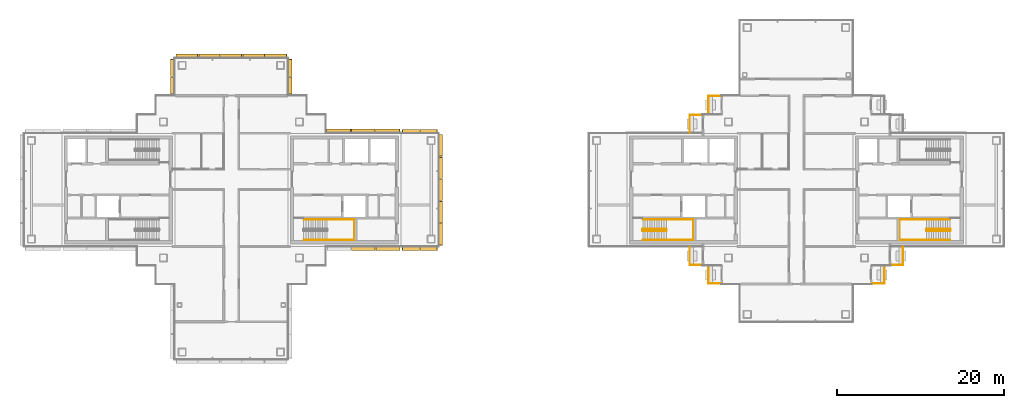
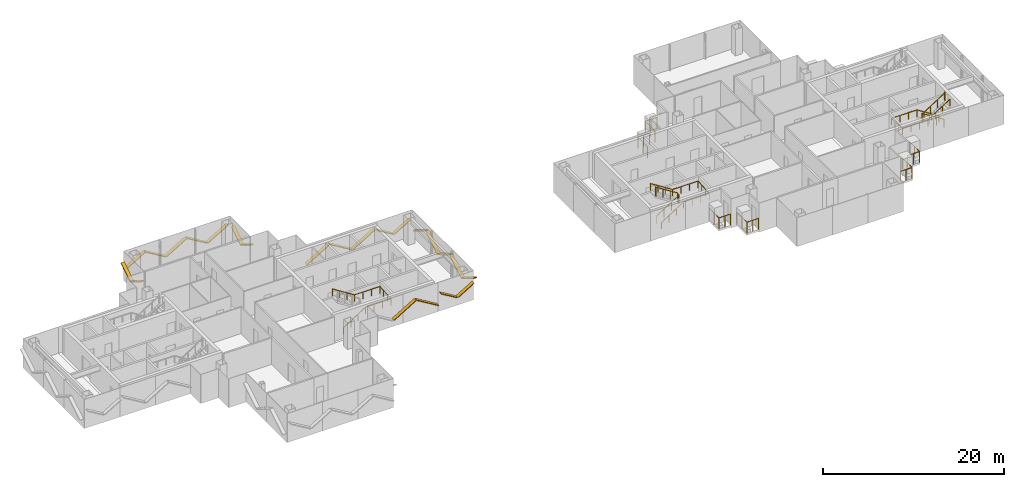
# One storey, part 15 of 17: 23 shading devices, 11 railings.
"""IFC4 building model written with IfcOpenShell, lengths in metres."""

from ifc_helpers import new_model, si_unit, direction, frame, origin, origin_2d, place, context, subcontext, project, spatial, rectangle, circle, extrude, material, material_profile, profile_set, type_object, element, save


model = new_model("IFC4")

# Units and contexts
model_context = context("Model", 3, precision=1e-05, world=origin(), true_north=direction((0.0, 1.0)))
body_context = subcontext(model_context, "Body", "Model", "MODEL_VIEW")
ifc_project = project(units=[si_unit("LENGTHUNIT", "METRE"), si_unit("AREAUNIT", "SQUARE_METRE"), si_unit("VOLUMEUNIT", "CUBIC_METRE"), si_unit("PLANEANGLEUNIT", "RADIAN"), si_unit("MASSUNIT", "GRAM", prefix="KILO")], contexts=[model_context])

# Site, building, storey
site_placement = place(None, origin())
site = spatial("IfcSite", under=ifc_project, at=site_placement, CompositionType="ELEMENT")
building_placement = place(site_placement, origin())
building = spatial("IfcBuilding", under=site, at=building_placement, Name="Shamsa Quay Exchange Towers", CompositionType="ELEMENT")
storey_placement = place(building_placement, frame((0.0, 0.0, 234.300048828125)))
storey = spatial("IfcBuildingStorey", under=building, at=storey_placement, Name="L56", CompositionType="ELEMENT", Elevation=234.300048828125)

# Railings
ifc_material_1 = material(Name="Steel S355, black powder-coated", Category="steel")
railing_type_1 = type_object("IfcRailingType", Name="BALCONY GUARD 1500", PredefinedType="GUARDRAIL", material=ifc_material_1)
for number, where, name in (
    (1, (24.72900390625, 11.199951171875, 0.0), "Balcony guard T2-PKEN L56"),
    (2, (22.47900390625, 8.949951171875, 0.0), "Balcony guard T2-PKEN L56"),
):
    element("IfcRailing", number, at=place(storey_placement, frame(where)), inside=storey, type_object=railing_type_1, Name=name, PredefinedType="GUARDRAIL", context=body_context, shape_type="SweptSolid", body=[
        extrude(circle(Radius=0.02392578125, at=origin_2d()), frame((0.0, 0.0, 1.47607421875), z_axis=(-1.0, 0.0, 0.0), x_axis=(0.0, -1.0, 0.0)), (0.0, 0.0, 1.0), 1.47900390625),
        extrude(circle(Radius=0.02392578125, at=origin_2d()), frame((-1.47900390625, 0.0, 1.47607421875), z_axis=(0.0, -1.0, 0.0), x_axis=(1.0, 0.0, 0.0)), (0.0, 0.0, 1.0), 2.161865234375),
        extrude(circle(Radius=0.02099609375, at=origin_2d()), origin(), (0.0, 0.0, 1.0), 1.451904296875),
        extrude(circle(Radius=0.02099609375, at=origin_2d()), frame((-0.739501953125, 0.0, 0.0)), (0.0, 0.0, 1.0), 1.451904296875),
        extrude(circle(Radius=0.02099609375, at=origin_2d()), frame((-1.47900390625, 0.0, 0.0)), (0.0, 0.0, 1.0), 1.451904296875),
        extrude(circle(Radius=0.02099609375, at=origin_2d()), frame((-1.47900390625, -1.0810546875, 0.0)), (0.0, 0.0, 1.0), 1.451904296875),
        extrude(circle(Radius=0.02099609375, at=origin_2d()), frame((-1.47900390625, -2.161865234375, 0.0)), (0.0, 0.0, 1.0), 1.451904296875),
    ])
for number, where, name in (
    (3, (21.0, -6.7880859375, 0.0), "Balcony guard T2-PKWN L56"),
    (4, (23.25, -9.0380859375, 0.0), "Balcony guard T2-PKWN L56"),
):
    element("IfcRailing", number, at=place(storey_placement, frame(where)), inside=storey, type_object=railing_type_1, Name=name, PredefinedType="GUARDRAIL", context=body_context, shape_type="SweptSolid", body=[
        extrude(circle(Radius=0.02392578125, at=origin_2d()), frame((0.0, 0.0, 1.47607421875), z_axis=(0.0, -1.0, 0.0), x_axis=(1.0, 0.0, 0.0)), (0.0, 0.0, 1.0), 2.161865234375),
        extrude(circle(Radius=0.02392578125, at=origin_2d()), frame((0.0, -2.161865234375, 1.47607421875), z_axis=(1.0, 0.0, 0.0), x_axis=(0.0, 1.0, 0.0)), (0.0, 0.0, 1.0), 1.47900390625),
        extrude(circle(Radius=0.02099609375, at=origin_2d()), origin(), (0.0, 0.0, 1.0), 1.451904296875),
        extrude(circle(Radius=0.02099609375, at=origin_2d()), frame((0.0, -1.0810546875, 0.0)), (0.0, 0.0, 1.0), 1.451904296875),
        extrude(circle(Radius=0.02099609375, at=origin_2d()), frame((0.0, -2.161865234375, 0.0)), (0.0, 0.0, 1.0), 1.451904296875),
        extrude(circle(Radius=0.02099609375, at=origin_2d()), frame((0.739501953125, -2.161865234375, 0.0)), (0.0, 0.0, 1.0), 1.451904296875),
        extrude(circle(Radius=0.02099609375, at=origin_2d()), frame((1.47900390625, -2.161865234375, 0.0)), (0.0, 0.0, 1.0), 1.451904296875),
    ])
for number, where, name in (
    (5, (42.77099609375, -11.199951171875, 0.0), "Balcony guard T2-PKWS L56"),
    (6, (45.02099609375, -8.949951171875, 0.0), "Balcony guard T2-PKWS L56"),
):
    element("IfcRailing", number, at=place(storey_placement, frame(where)), inside=storey, type_object=railing_type_1, Name=name, PredefinedType="GUARDRAIL", context=body_context, shape_type="SweptSolid", body=[
        extrude(circle(Radius=0.02392578125, at=origin_2d()), frame((0.0, 0.0, 1.47607421875), z_axis=(1.0, 0.0, 0.0), x_axis=(0.0, 1.0, 0.0)), (0.0, 0.0, 1.0), 1.47900390625),
        extrude(circle(Radius=0.02392578125, at=origin_2d()), frame((1.47900390625, 0.0, 1.47607421875), z_axis=(0.0, 1.0, 0.0), x_axis=(-1.0, 0.0, 0.0)), (0.0, 0.0, 1.0), 2.161865234375),
        extrude(circle(Radius=0.02099609375, at=origin_2d()), origin(), (0.0, 0.0, 1.0), 1.451904296875),
        extrude(circle(Radius=0.02099609375, at=origin_2d()), frame((0.739501953125, 0.0, 0.0)), (0.0, 0.0, 1.0), 1.451904296875),
        extrude(circle(Radius=0.02099609375, at=origin_2d()), frame((1.47900390625, 0.0, 0.0)), (0.0, 0.0, 1.0), 1.451904296875),
        extrude(circle(Radius=0.02099609375, at=origin_2d()), frame((1.47900390625, 1.0810546875, 0.0)), (0.0, 0.0, 1.0), 1.451904296875),
        extrude(circle(Radius=0.02099609375, at=origin_2d()), frame((1.47900390625, 2.161865234375, 0.0)), (0.0, 0.0, 1.0), 1.451904296875),
    ])

# Shading devices
ifc_material_2 = material(Name="Aluminium EN AW-6063 T6, black anodised", Category="aluminium")
ifc_material_profile = material_profile(ifc_material_2, rectangle(XDim=0.449951171875, YDim=0.10009765625, at=origin_2d()), Name="FIN450x100")
ifc_profile_set = profile_set([ifc_material_profile], Name="Aluminium EN AW-6063 T6, black anodised")
shading_device_type = type_object("IfcShadingDeviceType", Name="FIN 450x100 BLACK ALUMINIUM", PredefinedType="USERDEFINED", material=ifc_profile_set)
shading_device_1_placement = place(storey_placement, frame((-19.374755859375, -7.01904296875, 0.762451171875), z_axis=(0.857168152113, 0.0, 0.515036657922), x_axis=(0.0, 1.0, 0.0)))
element("IfcShadingDevice", 7, at=shading_device_1_placement, inside=storey, type_object=shading_device_type, Name="FIN T1 chevron rib", ObjectType="FIN", PredefinedType="USERDEFINED", context=body_context, shape_type="SweptSolid", body=[
    extrude(rectangle(XDim=0.449951171875, YDim=0.10009765625, at=origin_2d()), origin(), (0.0, 0.0, 1.0), 3.251708984375),
])
shading_device_2_placement = place(storey_placement, frame((-16.4873046875, -7.01904296875, 2.452392578125), z_axis=(0.857173881605, 0.0, -0.51502712229), x_axis=(0.0, 1.0, 0.0)))
element("IfcShadingDevice", 8, at=shading_device_2_placement, inside=storey, type_object=shading_device_type, Name="FIN T1 chevron rib", ObjectType="FIN", PredefinedType="USERDEFINED", context=body_context, shape_type="SweptSolid", body=[
    extrude(rectangle(XDim=0.449951171875, YDim=0.10009765625, at=origin_2d()), origin(), (0.0, 0.0, 1.0), 3.310302734375),
])
for number, where, z_axis, x_axis, name in (
    (9, (-13.35009765625, -7.014892578125, 2.2158203125), (0.857186526385, 0.0, -0.515006076648), (0.0, 1.0, 0.0), "FIN T1 chevron rib"),
    (10, (-11.199951171875, -7.014892578125, 0.984130859375), (0.857186526385, 0.0, 0.515006076648), (0.0, 1.0, 0.0), "FIN T1 chevron rib"),
):
    element("IfcShadingDevice", number, at=place(storey_placement, frame(where, z_axis=z_axis, x_axis=x_axis)), inside=storey, type_object=shading_device_type, Name=name, ObjectType="FIN", PredefinedType="USERDEFINED", context=body_context, shape_type="SweptSolid", body=[
        extrude(rectangle(XDim=0.449951171875, YDim=0.10009765625, at=origin_2d()), origin(), (0.0, 0.0, 1.0), 2.3916015625),
    ])
shading_device_3_placement = place(storey_placement, frame((-8.735107421875, -6.60009765625, 2.378173828125), z_axis=(0.0, 0.857150546907, -0.51506595688), x_axis=(-1.0, 0.0, 0.0)))
element("IfcShadingDevice", 11, at=shading_device_3_placement, inside=storey, type_object=shading_device_type, Name="FIN T1 chevron rib", ObjectType="FIN", PredefinedType="USERDEFINED", context=body_context, shape_type="SweptSolid", body=[
    extrude(rectangle(XDim=0.449951171875, YDim=0.10009765625, at=origin_2d()), origin(), (0.0, 0.0, 1.0), 3.021728515625),
])
for number, where, z_axis, x_axis, name in (
    (12, (-8.735107421875, -3.909912109375, 0.8369140625), (0.0, 0.857158316574, 0.515053026714), (-1.0, 0.0, 0.0), "FIN T1 chevron rib"),
    (13, (-8.735107421875, -1.27001953125, 2.363037109375), (0.0, 0.857180172053, -0.515016652778), (-1.0, 0.0, 0.0), "FIN T1 chevron rib"),
    (14, (-8.735107421875, 1.3701171875, 0.8369140625), (0.0, 0.857158316574, 0.515053026714), (-1.0, 0.0, 0.0), "FIN T1 chevron rib"),
):
    element("IfcShadingDevice", number, at=place(storey_placement, frame(where, z_axis=z_axis, x_axis=x_axis)), inside=storey, type_object=shading_device_type, Name=name, ObjectType="FIN", PredefinedType="USERDEFINED", context=body_context, shape_type="SweptSolid", body=[
        extrude(rectangle(XDim=0.449951171875, YDim=0.10009765625, at=origin_2d()), origin(), (0.0, 0.0, 1.0), 2.963134765625),
    ])
shading_device_4_placement = place(storey_placement, frame((-8.735107421875, 4.010009765625, 2.378173828125), z_axis=(0.0, 0.857150546907, -0.51506595688), x_axis=(-1.0, 0.0, 0.0)))
element("IfcShadingDevice", 15, at=shading_device_4_placement, inside=storey, type_object=shading_device_type, Name="FIN T1 chevron rib", ObjectType="FIN", PredefinedType="USERDEFINED", context=body_context, shape_type="SweptSolid", body=[
    extrude(rectangle(XDim=0.449951171875, YDim=0.10009765625, at=origin_2d()), origin(), (0.0, 0.0, 1.0), 3.021728515625),
])
for number, where, z_axis, x_axis, name in (
    (16, (-9.14990234375, 7.014892578125, 2.2158203125), (-0.857186526385, 0.0, -0.515006076648), (0.0, -1.0, 0.0), "FIN T1 chevron rib"),
    (17, (-11.300048828125, 7.014892578125, 0.984130859375), (-0.857186526385, 0.0, 0.515006076648), (0.0, -1.0, 0.0), "FIN T1 chevron rib"),
):
    element("IfcShadingDevice", number, at=place(storey_placement, frame(where, z_axis=z_axis, x_axis=x_axis)), inside=storey, type_object=shading_device_type, Name=name, ObjectType="FIN", PredefinedType="USERDEFINED", context=body_context, shape_type="SweptSolid", body=[
        extrude(rectangle(XDim=0.449951171875, YDim=0.10009765625, at=origin_2d()), origin(), (0.0, 0.0, 1.0), 2.3916015625),
    ])
shading_device_5_placement = place(storey_placement, frame((-13.64990234375, 7.01904296875, 2.456298828125), z_axis=(-0.857149370538, 0.0, -0.515067914538), x_axis=(0.0, -1.0, 0.0)))
element("IfcShadingDevice", 18, at=shading_device_5_placement, inside=storey, type_object=shading_device_type, Name="FIN T1 chevron rib", ObjectType="FIN", PredefinedType="USERDEFINED", context=body_context, shape_type="SweptSolid", body=[
    extrude(rectangle(XDim=0.449951171875, YDim=0.10009765625, at=origin_2d()), origin(), (0.0, 0.0, 1.0), 3.3251953125),
])
shading_device_6_placement = place(storey_placement, frame((-16.60009765625, 7.01904296875, 0.7587890625), z_axis=(-0.857156397537, 0.0, 0.515056220389), x_axis=(0.0, -1.0, 0.0)))
element("IfcShadingDevice", 19, at=shading_device_6_placement, inside=storey, type_object=shading_device_type, Name="FIN T1 chevron rib", ObjectType="FIN", PredefinedType="USERDEFINED", context=body_context, shape_type="SweptSolid", body=[
    extrude(rectangle(XDim=0.449951171875, YDim=0.10009765625, at=origin_2d()), origin(), (0.0, 0.0, 1.0), 3.266357421875),
])
shading_device_7_placement = place(storey_placement, frame((-19.5, 7.01904296875, 2.456298828125), z_axis=(-0.857149370538, 0.0, -0.515067914538), x_axis=(0.0, -1.0, 0.0)))
element("IfcShadingDevice", 20, at=shading_device_7_placement, inside=storey, type_object=shading_device_type, Name="FIN T1 chevron rib", ObjectType="FIN", PredefinedType="USERDEFINED", context=body_context, shape_type="SweptSolid", body=[
    extrude(rectangle(XDim=0.449951171875, YDim=0.10009765625, at=origin_2d()), origin(), (0.0, 0.0, 1.0), 3.3251953125),
])
for number, where, z_axis, x_axis, name in (
    (21, (-26.735107421875, 11.43798828125, 2.210205078125), (0.0, 0.857147262471, -0.515071422658), (-1.0, 0.0, 0.0), "FIN T1 chevron rib"),
    (22, (-26.735107421875, 13.569091796875, 0.98974609375), (0.0, 0.857147262471, 0.515071422658), (-1.0, 0.0, 0.0), "FIN T1 chevron rib"),
):
    element("IfcShadingDevice", number, at=place(storey_placement, frame(where, z_axis=z_axis, x_axis=x_axis)), inside=storey, type_object=shading_device_type, Name=name, ObjectType="FIN", PredefinedType="USERDEFINED", context=body_context, shape_type="SweptSolid", body=[
        extrude(rectangle(XDim=0.449951171875, YDim=0.10009765625, at=origin_2d()), origin(), (0.0, 0.0, 1.0), 2.369384765625),
    ])
shading_device_8_placement = place(storey_placement, frame((-27.14990234375, 16.014892578125, 2.378173828125), z_axis=(-0.857150546907, 0.0, -0.51506595688), x_axis=(0.0, -1.0, 0.0)))
element("IfcShadingDevice", 23, at=shading_device_8_placement, inside=storey, type_object=shading_device_type, Name="FIN T1 chevron rib", ObjectType="FIN", PredefinedType="USERDEFINED", context=body_context, shape_type="SweptSolid", body=[
    extrude(rectangle(XDim=0.449951171875, YDim=0.10009765625, at=origin_2d()), origin(), (0.0, 0.0, 1.0), 3.021728515625),
])
for number, where, z_axis, x_axis, name in (
    (24, (-29.840087890625, 16.014892578125, 0.8369140625), (-0.857158316574, 0.0, 0.515053026714), (0.0, -1.0, 0.0), "FIN T1 chevron rib"),
    (25, (-32.47998046875, 16.014892578125, 2.363037109375), (-0.857180172053, 0.0, -0.515016652778), (0.0, -1.0, 0.0), "FIN T1 chevron rib"),
    (26, (-35.1201171875, 16.014892578125, 0.8369140625), (-0.857158316574, 0.0, 0.515053026714), (0.0, -1.0, 0.0), "FIN T1 chevron rib"),
):
    element("IfcShadingDevice", number, at=place(storey_placement, frame(where, z_axis=z_axis, x_axis=x_axis)), inside=storey, type_object=shading_device_type, Name=name, ObjectType="FIN", PredefinedType="USERDEFINED", context=body_context, shape_type="SweptSolid", body=[
        extrude(rectangle(XDim=0.449951171875, YDim=0.10009765625, at=origin_2d()), origin(), (0.0, 0.0, 1.0), 2.963134765625),
    ])
shading_device_9_placement = place(storey_placement, frame((-37.760009765625, 16.014892578125, 2.378173828125), z_axis=(-0.857150546907, 0.0, -0.51506595688), x_axis=(0.0, -1.0, 0.0)))
element("IfcShadingDevice", 27, at=shading_device_9_placement, inside=storey, type_object=shading_device_type, Name="FIN T1 chevron rib", ObjectType="FIN", PredefinedType="USERDEFINED", context=body_context, shape_type="SweptSolid", body=[
    extrude(rectangle(XDim=0.449951171875, YDim=0.10009765625, at=origin_2d()), origin(), (0.0, 0.0, 1.0), 3.021728515625),
])
for number, where, z_axis, x_axis, name in (
    (28, (-40.764892578125, 15.60009765625, 2.2158203125), (0.0, -0.857186526385, -0.515006076648), (1.0, 0.0, 0.0), "FIN T1 chevron rib"),
    (29, (-40.764892578125, 13.449951171875, 0.984130859375), (0.0, -0.857186526385, 0.515006076648), (1.0, 0.0, 0.0), "FIN T1 chevron rib"),
):
    element("IfcShadingDevice", number, at=place(storey_placement, frame(where, z_axis=z_axis, x_axis=x_axis)), inside=storey, type_object=shading_device_type, Name=name, ObjectType="FIN", PredefinedType="USERDEFINED", context=body_context, shape_type="SweptSolid", body=[
        extrude(rectangle(XDim=0.449951171875, YDim=0.10009765625, at=origin_2d()), origin(), (0.0, 0.0, 1.0), 2.3916015625),
    ])

# Railings
ifc_material_3 = material(Name="Stainless steel", Category="steel")
railing_type_2 = type_object("IfcRailingType", Name="STAIR GUARD 1100", PredefinedType="GUARDRAIL", material=ifc_material_3)
railing_1_placement = place(storey_placement, frame((15.39990234375, -4.89990234375, 0.17724609375)))
element("IfcRailing", 30, at=railing_1_placement, inside=storey, type_object=railing_type_2, Name="L56 ST4 stair guard 1", PredefinedType="GUARDRAIL", context=body_context, shape_type="SweptSolid", body=[
    extrude(circle(Radius=0.02392578125, at=origin_2d()), frame((0.0, 0.0, 1.076171875), z_axis=(0.844908973607, 0.0, 0.534910110503), x_axis=(0.0, 1.0, 0.0)), (0.0, 0.0, 1.0), 3.31396484375),
    extrude(circle(Radius=0.02392578125, at=origin_2d()), frame((2.800048828125, 0.0, 2.8486328125), z_axis=(0.708833529934, 0.705375805398, 0.0), x_axis=(-0.705375805398, 0.708833529934, 0.0)), (0.0, 0.0, 1.0), 0.070556640625),
    extrude(circle(Radius=0.02392578125, at=origin_2d()), frame((2.85009765625, 0.0498046875, 2.8486328125), z_axis=(0.0, 1.0, 0.0), x_axis=(-1.0, 0.0, 0.0)), (0.0, 0.0, 1.0), 0.150146484375),
    extrude(circle(Radius=0.02392578125, at=origin_2d()), frame((2.85009765625, 0.199951171875, 2.8486328125), z_axis=(-0.262233686654, 0.262233686654, 0.928691007369), x_axis=(-0.707106781187, -0.707106781187, 0.0)), (0.0, 0.0, 1.0), 0.19091796875),
    extrude(circle(Radius=0.02392578125, at=origin_2d()), frame((2.800048828125, 0.25, 3.02587890625), z_axis=(-0.844908973607, 0.0, 0.534910110503), x_axis=(0.0, -1.0, 0.0)), (0.0, 0.0, 1.0), 3.31396484375),
    extrude(circle(Radius=0.02392578125, at=origin_2d()), frame((0.0, 0.25, 4.798828125), z_axis=(-0.24142163986, -0.970420317083, 0.0), x_axis=(0.970420317083, -0.24142163986, 0.0)), (0.0, 0.0, 1.0), 0.206298828125),
    extrude(circle(Radius=0.02392578125, at=origin_2d()), frame((-0.0498046875, 0.0498046875, 4.798828125), z_axis=(0.0, 1.0, 0.0), x_axis=(-1.0, 0.0, 0.0)), (0.0, 0.0, 1.0), 0.150146484375),
    extrude(circle(Radius=0.02099609375, at=origin_2d()), origin(), (0.0, 0.0, 1.0), 1.052001953125),
    extrude(circle(Radius=0.02099609375, at=origin_2d()), frame((0.933349609375, 0.0, 0.5908203125)), (0.0, 0.0, 1.0), 1.052001953125),
    extrude(circle(Radius=0.02099609375, at=origin_2d()), frame((1.86669921875, 0.0, 1.181884765625)), (0.0, 0.0, 1.0), 1.052001953125),
    extrude(circle(Radius=0.02099609375, at=origin_2d()), frame((2.800048828125, 0.0, 1.772705078125)), (0.0, 0.0, 1.0), 1.052001953125),
    extrude(circle(Radius=0.02099609375, at=origin_2d()), frame((2.85009765625, 0.0498046875, 1.772705078125)), (0.0, 0.0, 1.0), 1.052001953125),
    extrude(circle(Radius=0.02099609375, at=origin_2d()), frame((2.85009765625, 0.199951171875, 1.772705078125)), (0.0, 0.0, 1.0), 1.052001953125),
    extrude(circle(Radius=0.02099609375, at=origin_2d()), frame((2.800048828125, 0.25, 1.949951171875)), (0.0, 0.0, 1.0), 1.052001953125),
    extrude(circle(Radius=0.02099609375, at=origin_2d()), frame((1.86669921875, 0.25, 2.540771484375)), (0.0, 0.0, 1.0), 1.052001953125),
    extrude(circle(Radius=0.02099609375, at=origin_2d()), frame((0.933349609375, 0.25, 3.1318359375)), (0.0, 0.0, 1.0), 1.052001953125),
    extrude(circle(Radius=0.02099609375, at=origin_2d()), frame((0.0, 0.25, 3.72265625)), (0.0, 0.0, 1.0), 1.052001953125),
    extrude(circle(Radius=0.02099609375, at=origin_2d()), frame((-0.0498046875, 0.0498046875, 3.72265625)), (0.0, 0.0, 1.0), 1.052001953125),
    extrude(circle(Radius=0.02099609375, at=origin_2d()), frame((-0.0498046875, 0.199951171875, 3.72265625)), (0.0, 0.0, 1.0), 1.052001953125),
])
railing_2_placement = place(storey_placement, frame((52.10009765625, -4.64990234375, 0.17724609375)))
element("IfcRailing", 31, at=railing_2_placement, inside=storey, type_object=railing_type_2, Name="L56 ST5 stair guard 1", PredefinedType="GUARDRAIL", context=body_context, shape_type="SweptSolid", body=[
    extrude(circle(Radius=0.02392578125, at=origin_2d()), frame((0.0, 0.0, 1.076171875), z_axis=(-0.844908973607, 0.0, 0.534910110503), x_axis=(0.0, -1.0, 0.0)), (0.0, 0.0, 1.0), 3.31396484375),
    extrude(circle(Radius=0.02392578125, at=origin_2d()), frame((-2.800048828125, 0.0, 2.8486328125), z_axis=(-0.707106781187, -0.707106781187, 0.0), x_axis=(0.707106781187, -0.707106781187, 0.0)), (0.0, 0.0, 1.0), 0.07080078125),
    extrude(circle(Radius=0.02392578125, at=origin_2d()), frame((-2.85009765625, -0.050048828125, 2.8486328125), z_axis=(0.0, -1.0, 0.0), x_axis=(1.0, 0.0, 0.0)), (0.0, 0.0, 1.0), 0.150146484375),
    extrude(circle(Radius=0.02392578125, at=origin_2d()), frame((-2.85009765625, -0.2001953125, 2.8486328125), z_axis=(0.262321481514, -0.261041864531, 0.929001929653), x_axis=(0.705375805398, 0.708833529934, 0.0)), (0.0, 0.0, 1.0), 0.190673828125),
    extrude(circle(Radius=0.02392578125, at=origin_2d()), frame((-2.800048828125, -0.25, 3.02587890625), z_axis=(0.844908973607, 0.0, 0.534910110503), x_axis=(0.0, 1.0, 0.0)), (0.0, 0.0, 1.0), 3.31396484375),
    extrude(circle(Radius=0.02392578125, at=origin_2d()), frame((0.0, -0.25, 4.798828125), z_axis=(0.241699205484, 0.970351222016, 0.0), x_axis=(-0.970351222016, 0.241699205484, 0.0)), (0.0, 0.0, 1.0), 0.2060546875),
    extrude(circle(Radius=0.02392578125, at=origin_2d()), frame((0.0498046875, -0.050048828125, 4.798828125), z_axis=(0.0, -1.0, 0.0), x_axis=(1.0, 0.0, 0.0)), (0.0, 0.0, 1.0), 0.150146484375),
    extrude(circle(Radius=0.02099609375, at=origin_2d()), origin(), (0.0, 0.0, 1.0), 1.052001953125),
    extrude(circle(Radius=0.02099609375, at=origin_2d()), frame((-0.933349609375, 0.0, 0.5908203125)), (0.0, 0.0, 1.0), 1.052001953125),
    extrude(circle(Radius=0.02099609375, at=origin_2d()), frame((-1.86669921875, 0.0, 1.181884765625)), (0.0, 0.0, 1.0), 1.052001953125),
    extrude(circle(Radius=0.02099609375, at=origin_2d()), frame((-2.800048828125, 0.0, 1.772705078125)), (0.0, 0.0, 1.0), 1.052001953125),
    extrude(circle(Radius=0.02099609375, at=origin_2d()), frame((-2.85009765625, -0.050048828125, 1.772705078125)), (0.0, 0.0, 1.0), 1.052001953125),
    extrude(circle(Radius=0.02099609375, at=origin_2d()), frame((-2.85009765625, -0.2001953125, 1.772705078125)), (0.0, 0.0, 1.0), 1.052001953125),
    extrude(circle(Radius=0.02099609375, at=origin_2d()), frame((-2.800048828125, -0.25, 1.949951171875)), (0.0, 0.0, 1.0), 1.052001953125),
    extrude(circle(Radius=0.02099609375, at=origin_2d()), frame((-1.86669921875, -0.25, 2.540771484375)), (0.0, 0.0, 1.0), 1.052001953125),
    extrude(circle(Radius=0.02099609375, at=origin_2d()), frame((-0.933349609375, -0.25, 3.1318359375)), (0.0, 0.0, 1.0), 1.052001953125),
    extrude(circle(Radius=0.02099609375, at=origin_2d()), frame((0.0, -0.25, 3.72265625)), (0.0, 0.0, 1.0), 1.052001953125),
    extrude(circle(Radius=0.02099609375, at=origin_2d()), frame((0.0498046875, -0.050048828125, 3.72265625)), (0.0, 0.0, 1.0), 1.052001953125),
    extrude(circle(Radius=0.02099609375, at=origin_2d()), frame((0.0498046875, -0.2001953125, 3.72265625)), (0.0, 0.0, 1.0), 1.052001953125),
])
railing_type_3 = type_object("IfcRailingType", Name="STAIR HANDRAIL 900", PredefinedType="HANDRAIL", material=ifc_material_3)
railing_3_placement = place(storey_placement, frame((-25.10009765625, -6.0, 0.17724609375)))
element("IfcRailing", 32, at=railing_3_placement, inside=storey, type_object=railing_type_3, Name="L56 ST1 stair handrail 1", PredefinedType="HANDRAIL", context=body_context, shape_type="SweptSolid", body=[
    extrude(circle(Radius=0.02392578125, at=origin_2d()), frame((0.0, 0.0, 0.8759765625), z_axis=(0.844908973607, 0.0, 0.534910110503), x_axis=(0.0, 1.0, 0.0)), (0.0, 0.0, 1.0), 3.31396484375),
    extrude(circle(Radius=0.02392578125, at=origin_2d()), frame((2.800048828125, 0.0, 2.6484375), z_axis=(1.0, 0.0, 0.0), x_axis=(0.0, 1.0, 0.0)), (0.0, 0.0, 1.0), 3.25),
    extrude(circle(Radius=0.02392578125, at=origin_2d()), frame((6.050048828125, 0.0, 2.6484375), z_axis=(0.0, 0.997393199914, 0.07215819264), x_axis=(-1.0, 0.0, 0.0)), (0.0, 0.0, 1.0), 2.456298828125),
    extrude(circle(Radius=0.02392578125, at=origin_2d()), frame((6.050048828125, 2.449951171875, 2.82568359375), z_axis=(-1.0, 0.0, 0.0), x_axis=(0.0, -1.0, 0.0)), (0.0, 0.0, 1.0), 3.25),
    extrude(circle(Radius=0.02392578125, at=origin_2d()), frame((2.800048828125, 2.449951171875, 2.82568359375), z_axis=(-0.844908973607, 0.0, 0.534910110503), x_axis=(0.0, -1.0, 0.0)), (0.0, 0.0, 1.0), 3.31396484375),
    extrude(circle(Radius=0.02099609375, at=origin_2d()), origin(), (0.0, 0.0, 1.0), 0.851806640625),
    extrude(circle(Radius=0.02099609375, at=origin_2d()), frame((0.933349609375, 0.0, 0.5908203125)), (0.0, 0.0, 1.0), 0.851806640625),
    extrude(circle(Radius=0.02099609375, at=origin_2d()), frame((1.86669921875, 0.0, 1.181884765625)), (0.0, 0.0, 1.0), 0.851806640625),
    extrude(circle(Radius=0.02099609375, at=origin_2d()), frame((2.800048828125, 0.0, 1.772705078125)), (0.0, 0.0, 1.0), 0.851806640625),
    extrude(circle(Radius=0.02099609375, at=origin_2d()), frame((3.88330078125, 0.0, 1.772705078125)), (0.0, 0.0, 1.0), 0.851806640625),
    extrude(circle(Radius=0.02099609375, at=origin_2d()), frame((4.966796875, 0.0, 1.772705078125)), (0.0, 0.0, 1.0), 0.851806640625),
    extrude(circle(Radius=0.02099609375, at=origin_2d()), frame((6.050048828125, 0.0, 1.772705078125)), (0.0, 0.0, 1.0), 0.851806640625),
    extrude(circle(Radius=0.02099609375, at=origin_2d()), frame((6.050048828125, 0.816650390625, 1.831787109375)), (0.0, 0.0, 1.0), 0.851806640625),
    extrude(circle(Radius=0.02099609375, at=origin_2d()), frame((6.050048828125, 1.63330078125, 1.890869140625)), (0.0, 0.0, 1.0), 0.851806640625),
    extrude(circle(Radius=0.02099609375, at=origin_2d()), frame((6.050048828125, 2.449951171875, 1.949951171875)), (0.0, 0.0, 1.0), 0.851806640625),
    extrude(circle(Radius=0.02099609375, at=origin_2d()), frame((4.966796875, 2.449951171875, 1.949951171875)), (0.0, 0.0, 1.0), 0.851806640625),
    extrude(circle(Radius=0.02099609375, at=origin_2d()), frame((3.88330078125, 2.449951171875, 1.949951171875)), (0.0, 0.0, 1.0), 0.851806640625),
    extrude(circle(Radius=0.02099609375, at=origin_2d()), frame((2.800048828125, 2.449951171875, 1.949951171875)), (0.0, 0.0, 1.0), 0.851806640625),
    extrude(circle(Radius=0.02099609375, at=origin_2d()), frame((1.86669921875, 2.449951171875, 2.540771484375)), (0.0, 0.0, 1.0), 0.851806640625),
    extrude(circle(Radius=0.02099609375, at=origin_2d()), frame((0.933349609375, 2.449951171875, 3.1318359375)), (0.0, 0.0, 1.0), 0.851806640625),
    extrude(circle(Radius=0.02099609375, at=origin_2d()), frame((0.0, 2.449951171875, 3.72265625)), (0.0, 0.0, 1.0), 0.851806640625),
])
railing_4_placement = place(storey_placement, frame((15.39990234375, -6.0, 0.17724609375)))
element("IfcRailing", 33, at=railing_4_placement, inside=storey, type_object=railing_type_3, Name="L56 ST4 stair handrail 1", PredefinedType="HANDRAIL", context=body_context, shape_type="SweptSolid", body=[
    extrude(circle(Radius=0.02392578125, at=origin_2d()), frame((0.0, 0.0, 0.8759765625), z_axis=(0.844908973607, 0.0, 0.534910110503), x_axis=(0.0, 1.0, 0.0)), (0.0, 0.0, 1.0), 3.31396484375),
    extrude(circle(Radius=0.02392578125, at=origin_2d()), frame((2.800048828125, 0.0, 2.6484375), z_axis=(1.0, 0.0, 0.0), x_axis=(0.0, 1.0, 0.0)), (0.0, 0.0, 1.0), 3.25),
    extrude(circle(Radius=0.02392578125, at=origin_2d()), frame((6.050048828125, 0.0, 2.6484375), z_axis=(0.0, 0.997393199914, 0.07215819264), x_axis=(-1.0, 0.0, 0.0)), (0.0, 0.0, 1.0), 2.456298828125),
    extrude(circle(Radius=0.02392578125, at=origin_2d()), frame((6.050048828125, 2.449951171875, 2.82568359375), z_axis=(-1.0, 0.0, 0.0), x_axis=(0.0, -1.0, 0.0)), (0.0, 0.0, 1.0), 3.25),
    extrude(circle(Radius=0.02392578125, at=origin_2d()), frame((2.800048828125, 2.449951171875, 2.82568359375), z_axis=(-0.844908973607, 0.0, 0.534910110503), x_axis=(0.0, -1.0, 0.0)), (0.0, 0.0, 1.0), 3.31396484375),
    extrude(circle(Radius=0.02099609375, at=origin_2d()), origin(), (0.0, 0.0, 1.0), 0.851806640625),
    extrude(circle(Radius=0.02099609375, at=origin_2d()), frame((0.933349609375, 0.0, 0.5908203125)), (0.0, 0.0, 1.0), 0.851806640625),
    extrude(circle(Radius=0.02099609375, at=origin_2d()), frame((1.86669921875, 0.0, 1.181884765625)), (0.0, 0.0, 1.0), 0.851806640625),
    extrude(circle(Radius=0.02099609375, at=origin_2d()), frame((2.800048828125, 0.0, 1.772705078125)), (0.0, 0.0, 1.0), 0.851806640625),
    extrude(circle(Radius=0.02099609375, at=origin_2d()), frame((3.88330078125, 0.0, 1.772705078125)), (0.0, 0.0, 1.0), 0.851806640625),
    extrude(circle(Radius=0.02099609375, at=origin_2d()), frame((4.966796875, 0.0, 1.772705078125)), (0.0, 0.0, 1.0), 0.851806640625),
    extrude(circle(Radius=0.02099609375, at=origin_2d()), frame((6.050048828125, 0.0, 1.772705078125)), (0.0, 0.0, 1.0), 0.851806640625),
    extrude(circle(Radius=0.02099609375, at=origin_2d()), frame((6.050048828125, 0.816650390625, 1.831787109375)), (0.0, 0.0, 1.0), 0.851806640625),
    extrude(circle(Radius=0.02099609375, at=origin_2d()), frame((6.050048828125, 1.63330078125, 1.890869140625)), (0.0, 0.0, 1.0), 0.851806640625),
    extrude(circle(Radius=0.02099609375, at=origin_2d()), frame((6.050048828125, 2.449951171875, 1.949951171875)), (0.0, 0.0, 1.0), 0.851806640625),
    extrude(circle(Radius=0.02099609375, at=origin_2d()), frame((4.966796875, 2.449951171875, 1.949951171875)), (0.0, 0.0, 1.0), 0.851806640625),
    extrude(circle(Radius=0.02099609375, at=origin_2d()), frame((3.88330078125, 2.449951171875, 1.949951171875)), (0.0, 0.0, 1.0), 0.851806640625),
    extrude(circle(Radius=0.02099609375, at=origin_2d()), frame((2.800048828125, 2.449951171875, 1.949951171875)), (0.0, 0.0, 1.0), 0.851806640625),
    extrude(circle(Radius=0.02099609375, at=origin_2d()), frame((1.86669921875, 2.449951171875, 2.540771484375)), (0.0, 0.0, 1.0), 0.851806640625),
    extrude(circle(Radius=0.02099609375, at=origin_2d()), frame((0.933349609375, 2.449951171875, 3.1318359375)), (0.0, 0.0, 1.0), 0.851806640625),
    extrude(circle(Radius=0.02099609375, at=origin_2d()), frame((0.0, 2.449951171875, 3.72265625)), (0.0, 0.0, 1.0), 0.851806640625),
])
railing_5_placement = place(storey_placement, frame((52.10009765625, -3.550048828125, 0.17724609375)))
element("IfcRailing", 34, at=railing_5_placement, inside=storey, type_object=railing_type_3, Name="L56 ST5 stair handrail 1", PredefinedType="HANDRAIL", context=body_context, shape_type="SweptSolid", body=[
    extrude(circle(Radius=0.02392578125, at=origin_2d()), frame((0.0, 0.0, 0.8759765625), z_axis=(-0.844908973607, 0.0, 0.534910110503), x_axis=(0.0, -1.0, 0.0)), (0.0, 0.0, 1.0), 3.31396484375),
    extrude(circle(Radius=0.02392578125, at=origin_2d()), frame((-2.800048828125, 0.0, 2.6484375), z_axis=(-1.0, 0.0, 0.0), x_axis=(0.0, -1.0, 0.0)), (0.0, 0.0, 1.0), 3.25),
    extrude(circle(Radius=0.02392578125, at=origin_2d()), frame((-6.050048828125, 0.0, 2.6484375), z_axis=(0.0, -0.997393199914, 0.07215819264), x_axis=(1.0, 0.0, 0.0)), (0.0, 0.0, 1.0), 2.456298828125),
    extrude(circle(Radius=0.02392578125, at=origin_2d()), frame((-6.050048828125, -2.449951171875, 2.82568359375), z_axis=(1.0, 0.0, 0.0), x_axis=(0.0, 1.0, 0.0)), (0.0, 0.0, 1.0), 3.25),
    extrude(circle(Radius=0.02392578125, at=origin_2d()), frame((-2.800048828125, -2.449951171875, 2.82568359375), z_axis=(0.844908973607, 0.0, 0.534910110503), x_axis=(0.0, 1.0, 0.0)), (0.0, 0.0, 1.0), 3.31396484375),
    extrude(circle(Radius=0.02099609375, at=origin_2d()), origin(), (0.0, 0.0, 1.0), 0.851806640625),
    extrude(circle(Radius=0.02099609375, at=origin_2d()), frame((-0.933349609375, 0.0, 0.5908203125)), (0.0, 0.0, 1.0), 0.851806640625),
    extrude(circle(Radius=0.02099609375, at=origin_2d()), frame((-1.86669921875, 0.0, 1.181884765625)), (0.0, 0.0, 1.0), 0.851806640625),
    extrude(circle(Radius=0.02099609375, at=origin_2d()), frame((-2.800048828125, 0.0, 1.772705078125)), (0.0, 0.0, 1.0), 0.851806640625),
    extrude(circle(Radius=0.02099609375, at=origin_2d()), frame((-3.88330078125, 0.0, 1.772705078125)), (0.0, 0.0, 1.0), 0.851806640625),
    extrude(circle(Radius=0.02099609375, at=origin_2d()), frame((-4.966796875, 0.0, 1.772705078125)), (0.0, 0.0, 1.0), 0.851806640625),
    extrude(circle(Radius=0.02099609375, at=origin_2d()), frame((-6.050048828125, 0.0, 1.772705078125)), (0.0, 0.0, 1.0), 0.851806640625),
    extrude(circle(Radius=0.02099609375, at=origin_2d()), frame((-6.050048828125, -0.816650390625, 1.831787109375)), (0.0, 0.0, 1.0), 0.851806640625),
    extrude(circle(Radius=0.02099609375, at=origin_2d()), frame((-6.050048828125, -1.63330078125, 1.890869140625)), (0.0, 0.0, 1.0), 0.851806640625),
    extrude(circle(Radius=0.02099609375, at=origin_2d()), frame((-6.050048828125, -2.449951171875, 1.949951171875)), (0.0, 0.0, 1.0), 0.851806640625),
    extrude(circle(Radius=0.02099609375, at=origin_2d()), frame((-4.966796875, -2.449951171875, 1.949951171875)), (0.0, 0.0, 1.0), 0.851806640625),
    extrude(circle(Radius=0.02099609375, at=origin_2d()), frame((-3.88330078125, -2.449951171875, 1.949951171875)), (0.0, 0.0, 1.0), 0.851806640625),
    extrude(circle(Radius=0.02099609375, at=origin_2d()), frame((-2.800048828125, -2.449951171875, 1.949951171875)), (0.0, 0.0, 1.0), 0.851806640625),
    extrude(circle(Radius=0.02099609375, at=origin_2d()), frame((-1.86669921875, -2.449951171875, 2.540771484375)), (0.0, 0.0, 1.0), 0.851806640625),
    extrude(circle(Radius=0.02099609375, at=origin_2d()), frame((-0.933349609375, -2.449951171875, 3.1318359375)), (0.0, 0.0, 1.0), 0.851806640625),
    extrude(circle(Radius=0.02099609375, at=origin_2d()), frame((0.0, -2.449951171875, 3.72265625)), (0.0, 0.0, 1.0), 0.851806640625),
])

save(model, "model.ifc")
